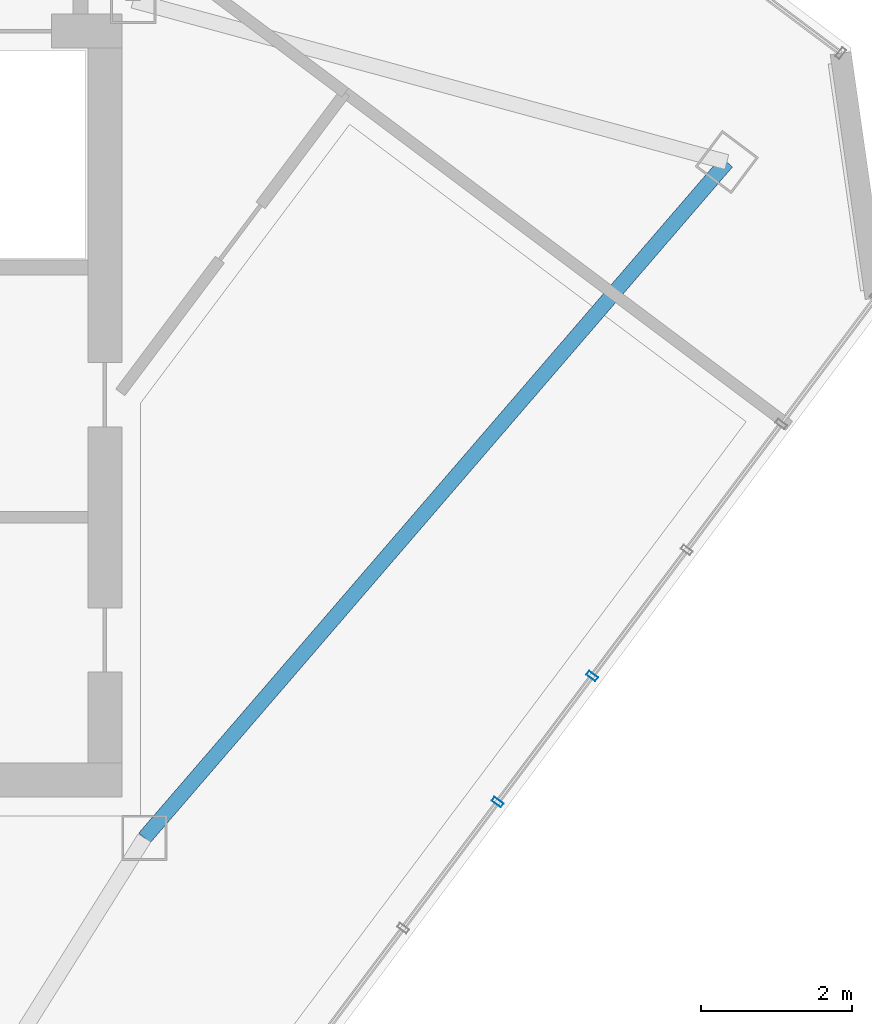
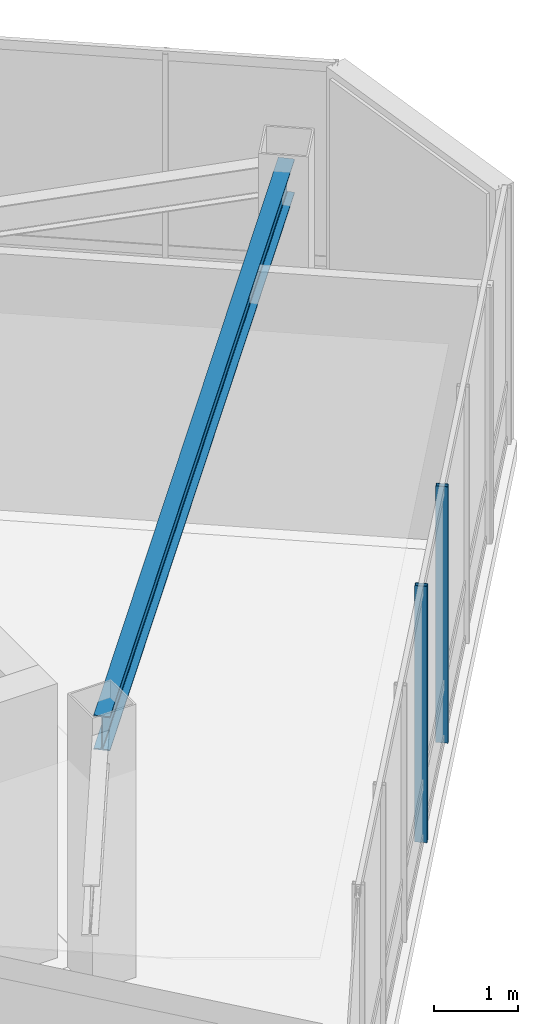
# One storey, part 11 of 31: 2 members, 1 beam, 1 element without a shape of its own.
"""IFC4 building model written with IfcOpenShell, lengths in metres."""

import ifcopenshell
import ifcopenshell.guid

model = None  # the IFC model being written
_history = None  # IfcOwnerHistory: only IFC2X3 demands one
_inside = {}  # id of a spatial element -> (the spatial element, [elements in it])
_under = {}  # id of a project, library or spatial element -> (it, [spatial elements below it])
_declared = {}  # id of a project -> (the project, [libraries it declares])
_typed = {}  # id of a type object -> (the type object, [elements of that type])
_made_of = {}  # id of a material, layer set ... -> (it, [elements and type objects made of it])


def new_model(schema):
    """Start an empty IFC model of exactly this schema.

    Asked for "IFC4X3", IfcOpenShell would pick the latest addendum, in which some entities
    have other attributes; the version numbers below select the first issue.
    IFC2X3 requires an IfcOwnerHistory on every rooted entity: one is made here for all.
    """
    global model, _history
    if schema == "IFC4X3":
        model = ifcopenshell.file(schema_version=(4, 3, 0, 0))
    else:
        model = ifcopenshell.file(schema=schema)
    _inside.clear()
    _under.clear()
    _declared.clear()
    _typed.clear()
    _made_of.clear()
    _history = None
    if model.schema == "IFC2X3":
        org = make("IfcOrganization", Name="unknown")
        user = make(
            "IfcPersonAndOrganization",
            ThePerson=make("IfcPerson", FamilyName="unknown"),
            TheOrganization=org,
        )
        app = make(
            "IfcApplication",
            ApplicationDeveloper=org,
            Version="unknown",
            ApplicationFullName="unknown",
            ApplicationIdentifier="unknown",
        )
        _history = make(
            "IfcOwnerHistory",
            OwningUser=user,
            OwningApplication=app,
            ChangeAction="ADDED",
            CreationDate=0,
        )
    return model


def make(cls, **values):
    """One entity of the class cls with the attributes given. An attribute that is None is left unset."""
    return model.create_entity(
        cls, **{name: value for name, value in values.items() if value is not None}
    )


def rooted(cls, **values):
    """An entity with a GlobalId (a new one), such as an element, a storey or a relation."""
    return make(cls, GlobalId=ifcopenshell.guid.new(), OwnerHistory=_history, **values)


def si_unit(unit_type, name, prefix=None):
    """IfcSIUnit, for example si_unit("LENGTHUNIT", "METRE", prefix="MILLI")."""
    return make("IfcSIUnit", UnitType=unit_type, Prefix=prefix, Name=name)


def assignment(units):
    """IfcUnitAssignment: the units of a project."""
    return None if units is None else make("IfcUnitAssignment", Units=units)


def point(xyz):
    """IfcCartesianPoint."""
    return None if xyz is None else make("IfcCartesianPoint", Coordinates=xyz)


def direction(xyz):
    """IfcDirection."""
    return None if xyz is None else make("IfcDirection", DirectionRatios=xyz)


def frame(location, z_axis=None, x_axis=None):
    """IfcAxis2Placement3D, a coordinate frame: its origin and axes. An axis left out is left unset."""
    return make(
        "IfcAxis2Placement3D",
        Location=point(location),
        Axis=direction(z_axis),
        RefDirection=direction(x_axis),
    )


def frame_2d(location, x_axis=None):
    """IfcAxis2Placement2D, a coordinate frame in the plane: its origin and x axis."""
    return make(
        "IfcAxis2Placement2D", Location=point(location), RefDirection=direction(x_axis)
    )


def origin():
    """The frame at (0, 0, 0) with its axes left unset."""
    return frame((0.0, 0.0, 0.0))


def origin_2d():
    """The frame at (0, 0) in the plane with its x axis left unset."""
    return frame_2d((0.0, 0.0))


def place(relative_to, where):
    """IfcLocalPlacement: puts the frame where relative to a parent placement (None: the world)."""
    return make(
        "IfcLocalPlacement", PlacementRelTo=relative_to, RelativePlacement=where
    )


def context(
    kind, dimensions, precision=None, world=None, true_north=None, identifier=None
):
    """IfcGeometricRepresentationContext, for example the 3D "Model" context."""
    return make(
        "IfcGeometricRepresentationContext",
        ContextIdentifier=identifier,
        ContextType=kind,
        CoordinateSpaceDimension=dimensions,
        Precision=precision,
        WorldCoordinateSystem=world,
        TrueNorth=true_north,
    )


def subcontext(parent, identifier, kind, view, scale=None):
    """IfcGeometricRepresentationSubContext, for example "Body" below "Model"."""
    return make(
        "IfcGeometricRepresentationSubContext",
        ContextIdentifier=identifier,
        ContextType=kind,
        ParentContext=parent,
        TargetScale=scale,
        TargetView=view,
    )


def project(units=None, contexts=None):
    """IfcProject with its units and contexts."""
    return rooted(
        "IfcProject",
        Name="project",
        RepresentationContexts=contexts,
        UnitsInContext=assignment(units),
    )


def spatial(cls, under=None, at=None, **own):
    """A site, building, storey or space (cls), placed at a placement, below another one or the project."""
    s = rooted(cls, ObjectPlacement=at, **own)
    if under is not None:
        _under.setdefault(under.id(), (under, []))[1].append(s)
    return s


def profile(cls, at=None, kind="AREA", **sizes):
    """A parametric profile (cls). Its sizes go by their IFC names, for example OverallWidth=200.0."""
    return make(cls, ProfileType=kind, Position=at, **sizes)


def hollow_rectangle(**sizes):
    """IfcRectangleHollowProfileDef."""
    return profile("IfcRectangleHollowProfileDef", **sizes)


def i_section(**sizes):
    """IfcIShapeProfileDef."""
    return profile("IfcIShapeProfileDef", **sizes)


def extrude(swept, where, along, depth):
    """IfcExtrudedAreaSolid: the profile swept, set in the frame where, extruded along a direction by depth."""
    return make(
        "IfcExtrudedAreaSolid",
        SweptArea=swept,
        Position=where,
        ExtrudedDirection=direction(along),
        Depth=depth,
    )


def shape(context_of_items, identifier, shape_type, items):
    """IfcShapeRepresentation: the items that make up one representation, for example the "Body"."""
    return make(
        "IfcShapeRepresentation",
        ContextOfItems=context_of_items,
        RepresentationIdentifier=identifier,
        RepresentationType=shape_type,
        Items=items,
    )


def material(Name=None, Category=None):
    """IfcMaterial."""
    return make("IfcMaterial", Name=Name, Category=Category)


def layer(
    of_material, thickness, ventilated=None, Name=None, Category=None, Priority=None
):
    """IfcMaterialLayer: one layer of a wall or slab, of a material (None: an air gap)."""
    return make(
        "IfcMaterialLayer",
        Material=of_material,
        LayerThickness=thickness,
        IsVentilated=ventilated,
        Name=Name,
        Category=Category,
        Priority=Priority,
    )


def layer_set(layers, Name=None):
    """IfcMaterialLayerSet."""
    return make("IfcMaterialLayerSet", MaterialLayers=layers, LayerSetName=Name)


def material_profile(
    of_material, cross_section, Name=None, Category=None, Priority=None
):
    """IfcMaterialProfile: a cross section and its material."""
    return make(
        "IfcMaterialProfile",
        Name=Name,
        Material=of_material,
        Profile=cross_section,
        Priority=Priority,
        Category=Category,
    )


def profile_set(profiles, Name=None, composite=None):
    """IfcMaterialProfileSet."""
    return make(
        "IfcMaterialProfileSet",
        Name=Name,
        MaterialProfiles=profiles,
        CompositeProfile=composite,
    )


def made_of(thing, what):
    """Note that an element or type object is made of a material, layer set ...; save() writes the relation."""
    if what is not None:
        _made_of.setdefault(what.id(), (what, []))[1].append(thing)
    return thing


def type_object(cls, material=None, **own):
    """A type object (cls), such as IfcWallType, which elements share."""
    return made_of(rooted(cls, **own), material)


def element(
    cls,
    number,
    at=None,
    inside=None,
    cuts=None,
    type_object=None,
    material=None,
    context=None,
    identifier="Body",
    shape_type=None,
    held_by="IfcProductDefinitionShape",
    body=None,
    shapes=None,
    **own,
):
    """One element of the class cls, such as IfcWall. Its Tag is "e" and its number.

    at: its placement. inside: the storey or other place that contains it. cuts: it is an
    opening in that element (IfcRelVoidsElement). A single representation is given by context,
    identifier, shape_type and body (its items); several are given by shapes. held_by: the class
    of the entity that holds the representations. save() writes the other relations.
    """
    e = rooted(cls, Tag="e%d" % number, ObjectPlacement=at, **own)
    if body is not None:
        shapes = [shape(context, identifier, shape_type, body)]
    if shapes is not None:
        e.Representation = make(held_by, Representations=shapes)
    if inside is not None:
        _inside.setdefault(inside.id(), (inside, []))[1].append(e)
    if cuts is not None:
        rooted(
            "IfcRelVoidsElement", RelatingBuildingElement=cuts, RelatedOpeningElement=e
        )
    if type_object is not None:
        _typed.setdefault(type_object.id(), (type_object, []))[1].append(e)
    return made_of(e, material)


def aggregate(whole, parts):
    """IfcRelAggregates: a whole, such as a stair, and the parts it consists of."""
    return rooted("IfcRelAggregates", RelatingObject=whole, RelatedObjects=parts)


def save(model, path):
    """Write the relations noted so far, then the file.

    IfcRelAggregates (storeys below a building ...), IfcRelContainedInSpatialStructure (elements
    in a storey), IfcRelDefinesByType, IfcRelAssociatesMaterial and IfcRelDeclares: one each for
    every whole, place, type object, material and project.
    """
    for whole, parts in _under.values():
        aggregate(whole, parts)
    for where, things in _inside.values():
        rooted(
            "IfcRelContainedInSpatialStructure",
            RelatedElements=things,
            RelatingStructure=where,
        )
    for kind, things in _typed.values():
        rooted("IfcRelDefinesByType", RelatedObjects=things, RelatingType=kind)
    for what, things in _made_of.values():
        rooted("IfcRelAssociatesMaterial", RelatedObjects=things, RelatingMaterial=what)
    for by, libraries in _declared.values():
        rooted("IfcRelDeclares", RelatingContext=by, RelatedDefinitions=libraries)
    model.write(path)


model = new_model("IFC4")

# Units and contexts
model_context = context("Model", 3, precision=1e-05, world=origin(), true_north=direction((0.0, 1.0)))
body_context = subcontext(model_context, "Body", "Model", "MODEL_VIEW")
ifc_project = project(units=[si_unit("LENGTHUNIT", "METRE"), si_unit("AREAUNIT", "SQUARE_METRE"), si_unit("VOLUMEUNIT", "CUBIC_METRE"), si_unit("PLANEANGLEUNIT", "RADIAN"), si_unit("MASSUNIT", "GRAM", prefix="KILO")], contexts=[model_context])

# Site, building, storey
site_placement = place(None, origin())
site = spatial("IfcSite", under=ifc_project, at=site_placement, CompositionType="ELEMENT")
building_placement = place(site_placement, origin())
building = spatial("IfcBuilding", under=site, at=building_placement, Name="Hatsunagi Terrace Concourse", CompositionType="ELEMENT")
storey_placement = place(building_placement, frame((0.0, 0.0, 269.949951171875)))
storey = spatial("IfcBuildingStorey", under=building, at=storey_placement, Name="L71", CompositionType="ELEMENT", Elevation=269.949951171875)

# Beam
ifc_material_1 = material(Name="Steel SN490B", Category="steel")
ifc_material_profile_1 = material_profile(ifc_material_1, i_section(OverallWidth=0.199951171875, OverallDepth=0.5, WebThickness=0.010009765625, FlangeThickness=0.01611328125, FilletRadius=0.01611328125, at=origin_2d()), Name="H-500x200x10x16")
ifc_profile_set_1 = profile_set([ifc_material_profile_1], Name="Steel SN490B")
beam_type = type_object("IfcBeamType", Name="CrownFloorGirder_H_500x200", PredefinedType="BEAM", material=ifc_profile_set_1)
beam_placement = place(storey_placement, frame((43.800048828125, 24.199951171875, 3.5), z_axis=(0.652739101421, 0.757582777969, 0.0), x_axis=(-0.757582777969, 0.652739101421, 0.0)))
element("IfcBeam", 1, at=beam_placement, inside=storey, type_object=beam_type, Name="Beam G-07 BM-L71-SET-1B", PredefinedType="BEAM", context=body_context, shape_type="SweptSolid", body=[
    extrude(i_section(OverallWidth=0.199951171875, OverallDepth=0.5, WebThickness=0.010009765625, FlangeThickness=0.01611328125, FilletRadius=0.01611328125, at=origin_2d()), origin(), (0.0, 0.0, 1.0), 11.8271484375),
])

# Curtain wall, members
ifc_material_2 = material(Name="Anodised Aluminium Alloy 6063-T5", Category="aluminium")
ifc_layer = layer(ifc_material_2, 0.199951171875)
ifc_layer_set = layer_set([ifc_layer], Name="CrownWintergarden_CW06")
curtain_wall_type = type_object("IfcCurtainWallType", Name="CrownWintergarden_CW06", PredefinedType="NOTDEFINED", material=ifc_layer_set)
curtain_wall_placement = place(storey_placement, origin())
curtain_wall = element("IfcCurtainWall", 2, at=curtain_wall_placement, inside=storey, type_object=curtain_wall_type, Name="Unitised Curtain Wall CW-06 CW-L71-03", PredefinedType="NOTDEFINED")
ifc_material_3 = material(Name="Anodised Aluminium Alloy 6063-T5", Category="aluminium")
ifc_material_profile_2 = material_profile(ifc_material_3, hollow_rectangle(XDim=0.06494140625, YDim=0.14990234375, WallThickness=0.00390625, at=origin_2d()), Name="ALU-MUL-150x65x4")
ifc_profile_set_2 = profile_set([ifc_material_profile_2], Name="Anodised Aluminium Alloy 6063-T5")
member_type = type_object("IfcMemberType", Name="CurtainWallMullion_Crown_150x65", PredefinedType="MULLION", material=ifc_profile_set_2)
member_1_placement = place(storey_placement, frame((49.73388671875, 26.345947265625, 0.0), z_axis=(0.0, 0.0, 1.0), x_axis=(-0.599969314634, -0.800023013105, 0.0)))
member_1 = element("IfcMember", 3, at=member_1_placement, type_object=member_type, Name="Curtain Wall Mullion MUL-03", PredefinedType="MULLION", context=body_context, shape_type="SweptSolid", body=[
    extrude(hollow_rectangle(XDim=0.06494140625, YDim=0.14990234375, WallThickness=0.00390625, at=origin_2d()), origin(), (0.0, 0.0, 1.0), 3.739990234375),
])
member_2_placement = place(storey_placement, frame((48.48095703125, 24.675048828125, 0.0), z_axis=(0.0, 0.0, 1.0), x_axis=(-0.599969314634, -0.800023013105, 0.0)))
member_2 = element("IfcMember", 4, at=member_2_placement, type_object=member_type, Name="Curtain Wall Mullion MUL-03", PredefinedType="MULLION", context=body_context, shape_type="SweptSolid", body=[
    extrude(hollow_rectangle(XDim=0.06494140625, YDim=0.14990234375, WallThickness=0.00390625, at=origin_2d()), origin(), (0.0, 0.0, 1.0), 3.739990234375),
])
aggregate(curtain_wall, [member_1, member_2])

save(model, "model.ifc")
